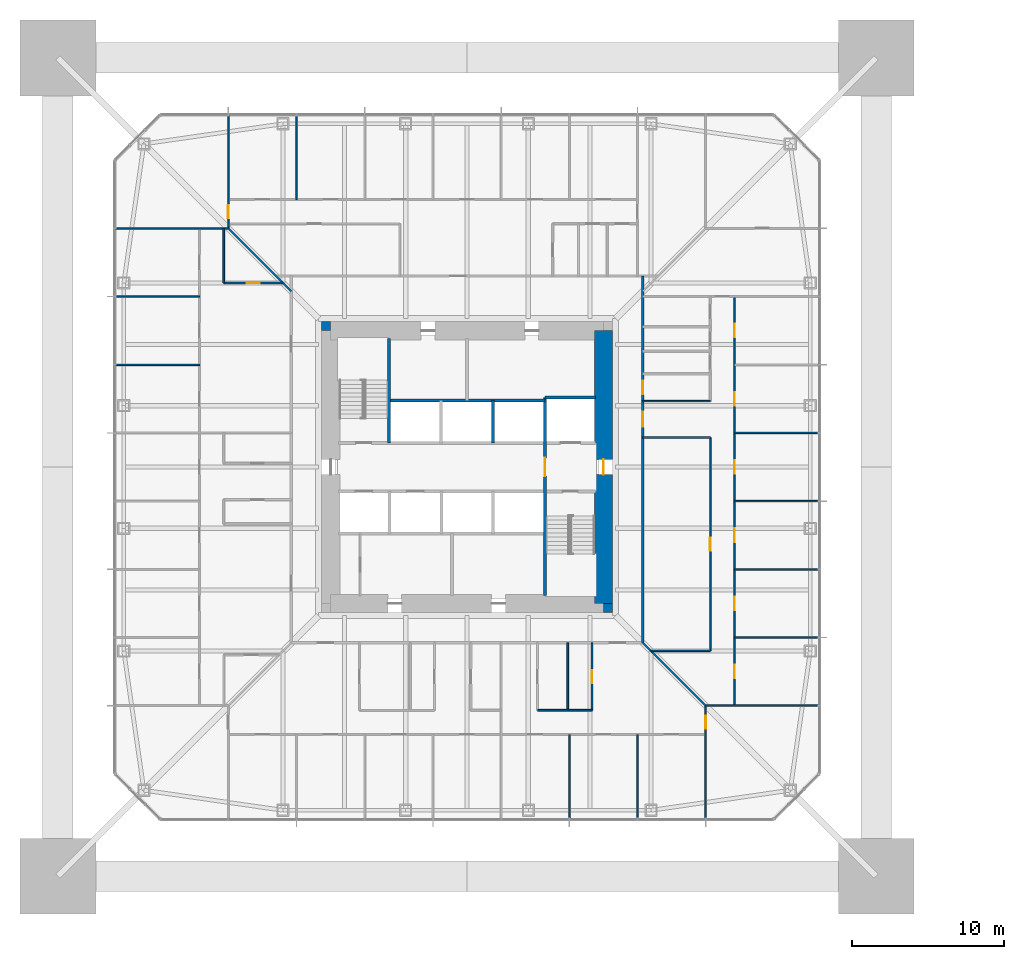
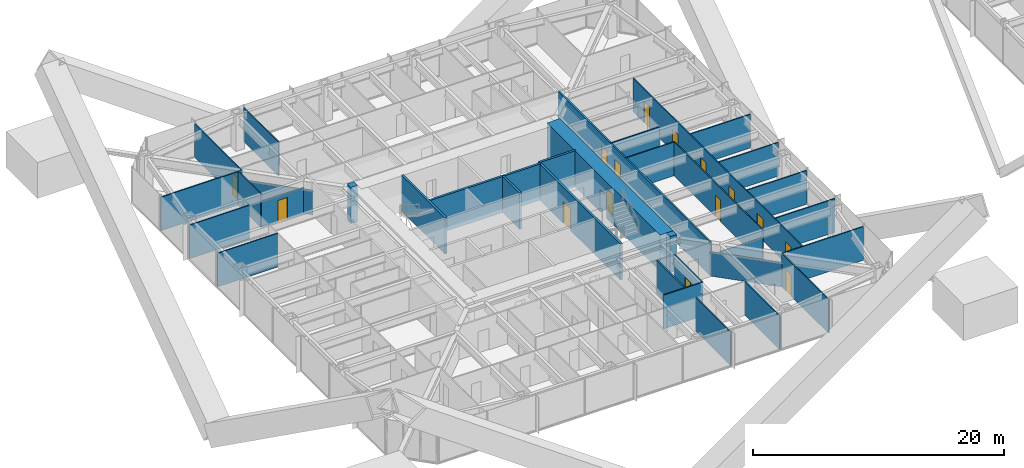
# One storey, part 18 of 28: 34 walls, 15 doors, 15 openings.
"""IFC4 building model written with IfcOpenShell, lengths in metres."""

from ifc_helpers import new_model, si_unit, direction, frame, frame_2d, origin, place, context, subcontext, project, spatial, rectangle, extrude, material, layer, layer_set, type_object, element, fill, save


model = new_model("IFC4")

# Units and contexts
model_context = context("Model", 3, precision=1e-05, world=origin(), true_north=direction((0.0, 1.0)))
body_context = subcontext(model_context, "Body", "Model", "MODEL_VIEW")
ifc_project = project(units=[si_unit("LENGTHUNIT", "METRE"), si_unit("AREAUNIT", "SQUARE_METRE"), si_unit("VOLUMEUNIT", "CUBIC_METRE"), si_unit("PLANEANGLEUNIT", "RADIAN"), si_unit("MASSUNIT", "GRAM", prefix="KILO")], contexts=[model_context])

# Site, building, storey
site_placement = place(None, origin())
site = spatial("IfcSite", under=ifc_project, at=site_placement, CompositionType="ELEMENT")
building_placement = place(site_placement, origin())
building = spatial("IfcBuilding", under=site, at=building_placement, Name="Iwan Alto Co-Living Towers", CompositionType="ELEMENT")
storey_placement = place(building_placement, frame((0.0, 0.0, 64.0)))
storey = spatial("IfcBuildingStorey", under=building, at=storey_placement, Name="L17", CompositionType="ELEMENT", Elevation=64.0)

# Wall, openings, doors
ifc_material_1 = material(Name="Gypsum board")
ifc_layer_1 = layer(ifc_material_1, 0.02490234375, Name="Board", Category="Finish")
ifc_material_2 = material(Name="Steel ASTM A1003 ST33H cold-formed studs", Category="steel")
ifc_layer_2 = layer(ifc_material_2, 0.10009765625, Name="Studs", Category="Framing")
ifc_layer_3 = layer(ifc_material_1, 0.02490234375, Name="Board", Category="Finish")
ifc_layer_set_1 = layer_set([ifc_layer_1, ifc_layer_2, ifc_layer_3], Name="CORRIDOR WALL 150")
wall_type_1 = type_object("IfcWallType", Name="CORRIDOR WALL 150", PredefinedType="PARTITIONING", material=ifc_layer_set_1)
wall_1_placement = place(storey_placement, frame((11.60009765625, -11.60009765625, 0.0), z_axis=(0.0, 0.0, 1.0), x_axis=(0.0, 1.0, 0.0)))
wall_1 = element("IfcWall", 1, at=wall_1_placement, inside=storey, type_object=wall_type_1, Name="Partition L17", PredefinedType="PARTITIONING", context=body_context, shape_type="SweptSolid", body=[
    extrude(rectangle(XDim=24.2001953125, YDim=0.14990234375, at=frame_2d((12.10009765625, 0.0))), origin(), (0.0, 0.0, 1.0), 3.27001953125),
])
opening_1_placement = place(wall_1_placement, frame((14.25, 0.0, 0.0)))
opening_1 = element("IfcOpeningElement", 2, at=opening_1_placement, cuts=wall_1, Name="Opening D3", PredefinedType="OPENING", context=body_context, shape_type="SweptSolid", body=[
    extrude(rectangle(XDim=1.0, YDim=2.10009765625, at=frame_2d((0.5, 1.050048828125))), frame((0.0, 0.0849609375, 0.0), z_axis=(0.0, -1.0, 0.0), x_axis=(1.0, 0.0, 0.0)), (0.0, 0.0, 1.0), 0.169921875),
])
opening_2_placement = place(wall_1_placement, frame((16.39990234375, 0.0, 0.0)))
opening_2 = element("IfcOpeningElement", 3, at=opening_2_placement, cuts=wall_1, Name="Opening D8", PredefinedType="OPENING", context=body_context, shape_type="SweptSolid", body=[
    extrude(rectangle(XDim=0.89990234375, YDim=2.10009765625, at=frame_2d((0.449951171875, 1.050048828125))), frame((0.0, 0.0849609375, 0.0), z_axis=(0.0, -1.0, 0.0), x_axis=(1.0, 0.0, 0.0)), (0.0, 0.0, 1.0), 0.169921875),
])
ifc_material_3 = material(Name="Steel frame with timber leaf", Category="steel")
door_type_1 = type_object("IfcDoorType", Name="FLAT ENTRANCE DOOR FD30S 1000X2100", OperationType="SINGLE_SWING_LEFT", PredefinedType="DOOR", material=ifc_material_3)
door_1_placement = place(opening_1_placement, frame((1.0, 0.0, 0.0), z_axis=(0.0, 0.0, 1.0), x_axis=(-1.0, 0.0, 0.0)))
door_1 = element("IfcDoor", 4, at=door_1_placement, inside=storey, type_object=door_type_1, Name="Cluster lounge door L17", OperationType="SINGLE_SWING_RIGHT", OverallHeight=2.10009765625, OverallWidth=1.0, PredefinedType="DOOR", context=body_context, shape_type="SweptSolid", body=[
    extrude(rectangle(XDim=1.0, YDim=2.10009765625, at=frame_2d((0.5, 1.050048828125))), frame((0.0, 0.02490234375, 0.0), z_axis=(0.0, -1.0, 0.0), x_axis=(1.0, 0.0, 0.0)), (0.0, 0.0, 1.0), 0.050048828125),
])
fill(opening_1, door_1)
ifc_material_4 = material(Name="Steel frame with timber leaf", Category="steel")
door_type_2 = type_object("IfcDoorType", Name="RISER DOOR FD120 900X2100", OperationType="SINGLE_SWING_LEFT", PredefinedType="DOOR", material=ifc_material_4)
door_2_placement = place(opening_2_placement, frame((0.89990234375, 0.0, 0.0), z_axis=(0.0, 0.0, 1.0), x_axis=(-1.0, 0.0, 0.0)))
door_2 = element("IfcDoor", 5, at=door_2_placement, inside=storey, type_object=door_type_2, Name="Comms room door L17", OperationType="SINGLE_SWING_RIGHT", OverallHeight=2.10009765625, OverallWidth=0.89990234375, PredefinedType="DOOR", context=body_context, shape_type="SweptSolid", body=[
    extrude(rectangle(XDim=0.89990234375, YDim=2.10009765625, at=frame_2d((0.449951171875, 1.050048828125))), frame((0.0, 0.02490234375, 0.0), z_axis=(0.0, -1.0, 0.0), x_axis=(1.0, 0.0, 0.0)), (0.0, 0.0, 1.0), 0.050048828125),
])
fill(opening_2, door_2)

# Walls
ifc_layer_4 = layer(ifc_material_1, 0.012451171875, Name="Board", Category="Finish")
ifc_layer_5 = layer(ifc_material_2, 0.074951171875, Name="Studs", Category="Framing")
ifc_layer_6 = layer(ifc_material_1, 0.012451171875, Name="Board", Category="Finish")
ifc_layer_set_2 = layer_set([ifc_layer_4, ifc_layer_5, ifc_layer_6], Name="PARTITION 100")
wall_type_2 = type_object("IfcWallType", Name="PARTITION 100", PredefinedType="PARTITIONING", material=ifc_layer_set_2)
wall_2_placement = place(storey_placement, frame((15.75, -15.75, 0.0), z_axis=(0.0, 0.0, 1.0), x_axis=(1.0, 0.0, 0.0)))
element("IfcWall", 6, at=wall_2_placement, inside=storey, type_object=wall_type_2, Name="Partition L17", PredefinedType="PARTITIONING", context=body_context, shape_type="SweptSolid", body=[
    extrude(rectangle(XDim=7.43994140625, YDim=0.10009765625, at=frame_2d((3.719970703125, 0.0))), origin(), (0.0, 0.0, 1.0), 3.27001953125),
])
wall_3_placement = place(storey_placement, frame((12.1298828125, -12.1298828125, 0.0), z_axis=(0.0, 0.0, 1.0), x_axis=(1.0, 0.0, 0.0)))
element("IfcWall", 7, at=wall_3_placement, inside=storey, type_object=wall_type_2, Name="Partition L17", PredefinedType="PARTITIONING", context=body_context, shape_type="SweptSolid", body=[
    extrude(rectangle(XDim=3.920166015625, YDim=0.10009765625, at=frame_2d((1.9599609375, 0.0))), origin(), (0.0, 0.0, 1.0), 2.508056640625),
])
for number, where, z_axis, x_axis, name in (
    (8, (17.64990234375, -11.25, 0.0), (0.0, 0.0, 1.0), (1.0, 0.0, 0.0), "Partition L17"),
    (9, (17.64990234375, -6.75, 0.0), (0.0, 0.0, 1.0), (1.0, 0.0, 0.0), "Partition L17"),
    (10, (17.64990234375, -2.25, 0.0), (0.0, 0.0, 1.0), (1.0, 0.0, 0.0), "Partition L17"),
):
    element("IfcWall", number, at=place(storey_placement, frame(where, z_axis=z_axis, x_axis=x_axis)), inside=storey, type_object=wall_type_2, Name=name, PredefinedType="PARTITIONING", context=body_context, shape_type="SweptSolid", body=[
        extrude(rectangle(XDim=5.5400390625, YDim=0.10009765625, at=frame_2d((2.77001953125, 0.0))), origin(), (0.0, 0.0, 1.0), 3.27001953125),
    ])
wall_4_placement = place(storey_placement, frame((11.60009765625, 1.949951171875, 0.0), z_axis=(0.0, 0.0, 1.0), x_axis=(1.0, 0.0, 0.0)))
element("IfcWall", 11, at=wall_4_placement, inside=storey, type_object=wall_type_2, Name="Partition L17", PredefinedType="PARTITIONING", context=body_context, shape_type="SweptSolid", body=[
    extrude(rectangle(XDim=4.449951171875, YDim=0.10009765625, at=frame_2d((2.22509765625, 0.0))), origin(), (0.0, 0.0, 1.0), 3.27001953125),
])
wall_5_placement = place(storey_placement, frame((17.64990234375, 2.25, 0.0), z_axis=(0.0, 0.0, 1.0), x_axis=(1.0, 0.0, 0.0)))
element("IfcWall", 12, at=wall_5_placement, inside=storey, type_object=wall_type_2, Name="Partition L17", PredefinedType="PARTITIONING", context=body_context, shape_type="SweptSolid", body=[
    extrude(rectangle(XDim=5.5400390625, YDim=0.10009765625, at=frame_2d((2.77001953125, 0.0))), origin(), (0.0, 0.0, 1.0), 3.27001953125),
])
wall_6_placement = place(storey_placement, frame((11.60009765625, 4.35009765625, 0.0), z_axis=(0.0, 0.0, 1.0), x_axis=(1.0, 0.0, 0.0)))
element("IfcWall", 13, at=wall_6_placement, inside=storey, type_object=wall_type_2, Name="Partition L17", PredefinedType="PARTITIONING", context=body_context, shape_type="SweptSolid", body=[
    extrude(rectangle(XDim=4.449951171875, YDim=0.10009765625, at=frame_2d((2.22509765625, 0.0))), origin(), (0.0, 0.0, 1.0), 3.27001953125),
])
for number, where, z_axis, x_axis, name in (
    (14, (-23.18994140625, 6.75, 0.0), (0.0, 0.0, 1.0), (1.0, 0.0, 0.0), "Partition L17"),
    (15, (-23.18994140625, 11.25, 0.0), (0.0, 0.0, 1.0), (1.0, 0.0, 0.0), "Partition L17"),
):
    element("IfcWall", number, at=place(storey_placement, frame(where, z_axis=z_axis, x_axis=x_axis)), inside=storey, type_object=wall_type_2, Name=name, PredefinedType="PARTITIONING", context=body_context, shape_type="SweptSolid", body=[
        extrude(rectangle(XDim=5.5400390625, YDim=0.10009765625, at=frame_2d((2.77001953125, 0.0))), origin(), (0.0, 0.0, 1.0), 3.27001953125),
    ])
wall_7_placement = place(storey_placement, frame((-23.18994140625, 15.75, 0.0), z_axis=(0.0, 0.0, 1.0), x_axis=(1.0, 0.0, 0.0)))
element("IfcWall", 16, at=wall_7_placement, inside=storey, type_object=wall_type_2, Name="Partition L17", PredefinedType="PARTITIONING", context=body_context, shape_type="SweptSolid", body=[
    extrude(rectangle(XDim=7.43994140625, YDim=0.10009765625, at=frame_2d((3.719970703125, 0.0))), origin(), (0.0, 0.0, 1.0), 3.27001953125),
])

# Wall, openings, doors
wall_8_placement = place(storey_placement, frame((17.64990234375, -15.75, 0.0), z_axis=(0.0, 0.0, 1.0), x_axis=(0.0, 1.0, 0.0)))
wall_8 = element("IfcWall", 17, at=wall_8_placement, inside=storey, type_object=wall_type_2, Name="Partition L17", PredefinedType="PARTITIONING", context=body_context, shape_type="SweptSolid", body=[
    extrude(rectangle(XDim=27.0, YDim=0.10009765625, at=frame_2d((13.5, 0.0))), origin(), (0.0, 0.0, 1.0), 3.27001953125),
])
opening_3_placement = place(wall_8_placement, frame((1.800048828125, 0.0, 0.0)))
opening_3 = element("IfcOpeningElement", 18, at=opening_3_placement, cuts=wall_8, Name="Opening D1", PredefinedType="OPENING", context=body_context, shape_type="SweptSolid", body=[
    extrude(rectangle(XDim=0.89990234375, YDim=2.10009765625, at=frame_2d((0.449951171875, 1.050048828125))), frame((0.0, 0.06005859375, 0.0), z_axis=(0.0, -1.0, 0.0), x_axis=(1.0, 0.0, 0.0)), (0.0, 0.0, 1.0), 0.1201171875),
])
opening_4_placement = place(wall_8_placement, frame((6.300048828125, 0.0, 0.0)))
opening_4 = element("IfcOpeningElement", 19, at=opening_4_placement, cuts=wall_8, Name="Opening D1", PredefinedType="OPENING", context=body_context, shape_type="SweptSolid", body=[
    extrude(rectangle(XDim=0.89990234375, YDim=2.10009765625, at=frame_2d((0.449951171875, 1.050048828125))), frame((0.0, 0.06005859375, 0.0), z_axis=(0.0, -1.0, 0.0), x_axis=(1.0, 0.0, 0.0)), (0.0, 0.0, 1.0), 0.1201171875),
])
opening_5_placement = place(wall_8_placement, frame((10.800048828125, 0.0, 0.0)))
opening_5 = element("IfcOpeningElement", 20, at=opening_5_placement, cuts=wall_8, Name="Opening D1", PredefinedType="OPENING", context=body_context, shape_type="SweptSolid", body=[
    extrude(rectangle(XDim=0.89990234375, YDim=2.10009765625, at=frame_2d((0.449951171875, 1.050048828125))), frame((0.0, 0.06005859375, 0.0), z_axis=(0.0, -1.0, 0.0), x_axis=(1.0, 0.0, 0.0)), (0.0, 0.0, 1.0), 0.1201171875),
])
opening_6_placement = place(wall_8_placement, frame((15.300048828125, 0.0, 0.0)))
opening_6 = element("IfcOpeningElement", 21, at=opening_6_placement, cuts=wall_8, Name="Opening D1", PredefinedType="OPENING", context=body_context, shape_type="SweptSolid", body=[
    extrude(rectangle(XDim=0.89990234375, YDim=2.10009765625, at=frame_2d((0.449951171875, 1.050048828125))), frame((0.0, 0.06005859375, 0.0), z_axis=(0.0, -1.0, 0.0), x_axis=(1.0, 0.0, 0.0)), (0.0, 0.0, 1.0), 0.1201171875),
])
opening_7_placement = place(wall_8_placement, frame((19.800048828125, 0.0, 0.0)))
opening_7 = element("IfcOpeningElement", 22, at=opening_7_placement, cuts=wall_8, Name="Opening D1", PredefinedType="OPENING", context=body_context, shape_type="SweptSolid", body=[
    extrude(rectangle(XDim=0.89990234375, YDim=2.10009765625, at=frame_2d((0.449951171875, 1.050048828125))), frame((0.0, 0.06005859375, 0.0), z_axis=(0.0, -1.0, 0.0), x_axis=(1.0, 0.0, 0.0)), (0.0, 0.0, 1.0), 0.1201171875),
])
opening_8_placement = place(wall_8_placement, frame((24.300048828125, 0.0, 0.0)))
opening_8 = element("IfcOpeningElement", 23, at=opening_8_placement, cuts=wall_8, Name="Opening D1", PredefinedType="OPENING", context=body_context, shape_type="SweptSolid", body=[
    extrude(rectangle(XDim=0.89990234375, YDim=2.10009765625, at=frame_2d((0.449951171875, 1.050048828125))), frame((0.0, 0.06005859375, 0.0), z_axis=(0.0, -1.0, 0.0), x_axis=(1.0, 0.0, 0.0)), (0.0, 0.0, 1.0), 0.1201171875),
])
ifc_material_5 = material(Name="Timber leaf in steel frame", Category="steel")
door_type_3 = type_object("IfcDoorType", Name="BEDROOM DOOR 900X2100", OperationType="SINGLE_SWING_LEFT", PredefinedType="DOOR", material=ifc_material_5)
door_3_placement = place(opening_3_placement, origin())
door_3 = element("IfcDoor", 24, at=door_3_placement, inside=storey, type_object=door_type_3, Name="Study bedroom door L17", OperationType="SINGLE_SWING_LEFT", OverallHeight=2.10009765625, OverallWidth=0.89990234375, PredefinedType="DOOR", context=body_context, shape_type="SweptSolid", body=[
    extrude(rectangle(XDim=0.89990234375, YDim=2.10009765625, at=frame_2d((0.449951171875, 1.050048828125))), frame((0.0, 0.02490234375, 0.0), z_axis=(0.0, -1.0, 0.0), x_axis=(1.0, 0.0, 0.0)), (0.0, 0.0, 1.0), 0.050048828125),
])
fill(opening_3, door_3)
door_4_placement = place(opening_4_placement, origin())
door_4 = element("IfcDoor", 25, at=door_4_placement, inside=storey, type_object=door_type_3, Name="Study bedroom door L17", OperationType="SINGLE_SWING_LEFT", OverallHeight=2.10009765625, OverallWidth=0.89990234375, PredefinedType="DOOR", context=body_context, shape_type="SweptSolid", body=[
    extrude(rectangle(XDim=0.89990234375, YDim=2.10009765625, at=frame_2d((0.449951171875, 1.050048828125))), frame((0.0, 0.02490234375, 0.0), z_axis=(0.0, -1.0, 0.0), x_axis=(1.0, 0.0, 0.0)), (0.0, 0.0, 1.0), 0.050048828125),
])
fill(opening_4, door_4)
door_5_placement = place(opening_5_placement, origin())
door_5 = element("IfcDoor", 26, at=door_5_placement, inside=storey, type_object=door_type_3, Name="Study bedroom door L17", OperationType="SINGLE_SWING_LEFT", OverallHeight=2.10009765625, OverallWidth=0.89990234375, PredefinedType="DOOR", context=body_context, shape_type="SweptSolid", body=[
    extrude(rectangle(XDim=0.89990234375, YDim=2.10009765625, at=frame_2d((0.449951171875, 1.050048828125))), frame((0.0, 0.02490234375, 0.0), z_axis=(0.0, -1.0, 0.0), x_axis=(1.0, 0.0, 0.0)), (0.0, 0.0, 1.0), 0.050048828125),
])
fill(opening_5, door_5)
door_6_placement = place(opening_6_placement, origin())
door_6 = element("IfcDoor", 27, at=door_6_placement, inside=storey, type_object=door_type_3, Name="Study bedroom door L17", OperationType="SINGLE_SWING_RIGHT", OverallHeight=2.10009765625, OverallWidth=0.89990234375, PredefinedType="DOOR", context=body_context, shape_type="SweptSolid", body=[
    extrude(rectangle(XDim=0.89990234375, YDim=2.10009765625, at=frame_2d((0.449951171875, 1.050048828125))), frame((0.0, 0.02490234375, 0.0), z_axis=(0.0, -1.0, 0.0), x_axis=(1.0, 0.0, 0.0)), (0.0, 0.0, 1.0), 0.050048828125),
])
fill(opening_6, door_6)
door_7_placement = place(opening_7_placement, origin())
door_7 = element("IfcDoor", 28, at=door_7_placement, inside=storey, type_object=door_type_3, Name="Study bedroom door L17", OperationType="SINGLE_SWING_RIGHT", OverallHeight=2.10009765625, OverallWidth=0.89990234375, PredefinedType="DOOR", context=body_context, shape_type="SweptSolid", body=[
    extrude(rectangle(XDim=0.89990234375, YDim=2.10009765625, at=frame_2d((0.449951171875, 1.050048828125))), frame((0.0, 0.02490234375, 0.0), z_axis=(0.0, -1.0, 0.0), x_axis=(1.0, 0.0, 0.0)), (0.0, 0.0, 1.0), 0.050048828125),
])
fill(opening_7, door_7)
door_8_placement = place(opening_8_placement, origin())
door_8 = element("IfcDoor", 29, at=door_8_placement, inside=storey, type_object=door_type_3, Name="Study bedroom door L17", OperationType="SINGLE_SWING_RIGHT", OverallHeight=2.10009765625, OverallWidth=0.89990234375, PredefinedType="DOOR", context=body_context, shape_type="SweptSolid", body=[
    extrude(rectangle(XDim=0.89990234375, YDim=2.10009765625, at=frame_2d((0.449951171875, 1.050048828125))), frame((0.0, 0.02490234375, 0.0), z_axis=(0.0, -1.0, 0.0), x_axis=(1.0, 0.0, 0.0)), (0.0, 0.0, 1.0), 0.050048828125),
])
fill(opening_8, door_8)

# Wall, opening, door
wall_9_placement = place(storey_placement, frame((16.050048828125, -12.1298828125, 0.0), z_axis=(0.0, 0.0, 1.0), x_axis=(0.0, 1.0, 0.0)))
wall_9 = element("IfcWall", 30, at=wall_9_placement, inside=storey, type_object=wall_type_2, Name="Partition L17", PredefinedType="PARTITIONING", context=body_context, shape_type="SweptSolid", body=[
    extrude(rectangle(XDim=14.079833984375, YDim=0.10009765625, at=frame_2d((7.0400390625, 0.0))), origin(), (0.0, 0.0, 1.0), 3.27001953125),
])
opening_9_placement = place(wall_9_placement, frame((6.614990234375, 0.0, 0.0)))
opening_9 = element("IfcOpeningElement", 31, at=opening_9_placement, cuts=wall_9, Name="Opening D2", PredefinedType="OPENING", context=body_context, shape_type="SweptSolid", body=[
    extrude(rectangle(XDim=0.85009765625, YDim=2.10009765625, at=frame_2d((0.425048828125, 1.050048828125))), frame((0.0, 0.06005859375, 0.0), z_axis=(0.0, -1.0, 0.0), x_axis=(1.0, 0.0, 0.0)), (0.0, 0.0, 1.0), 0.1201171875),
])
ifc_material_6 = material(Name="Timber leaf in steel frame", Category="steel")
door_type_4 = type_object("IfcDoorType", Name="ROOM DOOR 850X2100", OperationType="SINGLE_SWING_LEFT", PredefinedType="DOOR", material=ifc_material_6)
door_9_placement = place(opening_9_placement, origin())
door_9 = element("IfcDoor", 32, at=door_9_placement, inside=storey, type_object=door_type_4, Name="Study lounge door L17", OperationType="SINGLE_SWING_LEFT", OverallHeight=2.10009765625, OverallWidth=0.85009765625, PredefinedType="DOOR", context=body_context, shape_type="SweptSolid", body=[
    extrude(rectangle(XDim=0.85009765625, YDim=2.10009765625, at=frame_2d((0.425048828125, 1.050048828125))), frame((0.0, 0.02490234375, 0.0), z_axis=(0.0, -1.0, 0.0), x_axis=(1.0, 0.0, 0.0)), (0.0, 0.0, 1.0), 0.050048828125),
])
fill(opening_9, door_9)

wall_10_placement = place(storey_placement, frame((15.75, -23.18994140625, 0.0), z_axis=(0.0, 0.0, 1.0), x_axis=(0.0, 1.0, 0.0)))
wall_10 = element("IfcWall", 33, at=wall_10_placement, inside=storey, type_object=wall_type_2, Name="Partition L17", PredefinedType="PARTITIONING", context=body_context, shape_type="SweptSolid", body=[
    extrude(rectangle(XDim=7.43994140625, YDim=0.10009765625, at=frame_2d((3.719970703125, 0.0))), origin(), (0.0, 0.0, 1.0), 3.27001953125),
])
opening_10_placement = place(wall_10_placement, frame((5.9150390625, 0.0, 0.0)))
opening_10 = element("IfcOpeningElement", 34, at=opening_10_placement, cuts=wall_10, Name="Opening D2", PredefinedType="OPENING", context=body_context, shape_type="SweptSolid", body=[
    extrude(rectangle(XDim=0.85009765625, YDim=2.10009765625, at=frame_2d((0.425048828125, 1.050048828125))), frame((0.0, 0.06005859375, 0.0), z_axis=(0.0, -1.0, 0.0), x_axis=(1.0, 0.0, 0.0)), (0.0, 0.0, 1.0), 0.1201171875),
])
door_10_placement = place(opening_10_placement, origin())
door_10 = element("IfcDoor", 35, at=door_10_placement, inside=storey, type_object=door_type_4, Name="Shared kitchen and dining room door L17", OperationType="SINGLE_SWING_LEFT", OverallHeight=2.10009765625, OverallWidth=0.85009765625, PredefinedType="DOOR", context=body_context, shape_type="SweptSolid", body=[
    extrude(rectangle(XDim=0.85009765625, YDim=2.10009765625, at=frame_2d((0.425048828125, 1.050048828125))), frame((0.0, 0.02490234375, 0.0), z_axis=(0.0, -1.0, 0.0), x_axis=(1.0, 0.0, 0.0)), (0.0, 0.0, 1.0), 0.050048828125),
])
fill(opening_10, door_10)

# Walls
for number, where, z_axis, x_axis, name in (
    (36, (11.25, -23.18994140625, 0.0), (0.0, 0.0, 1.0), (0.0, 1.0, 0.0), "Partition L17"),
    (37, (6.75, -23.18994140625, 0.0), (0.0, 0.0, 1.0), (0.0, 1.0, 0.0), "Partition L17"),
    (38, (-11.25, 17.64990234375, 0.0), (0.0, 0.0, 1.0), (0.0, 1.0, 0.0), "Partition L17"),
):
    element("IfcWall", number, at=place(storey_placement, frame(where, z_axis=z_axis, x_axis=x_axis)), inside=storey, type_object=wall_type_2, Name=name, PredefinedType="PARTITIONING", context=body_context, shape_type="SweptSolid", body=[
        extrude(rectangle(XDim=5.5400390625, YDim=0.10009765625, at=frame_2d((2.77001953125, 0.0))), origin(), (0.0, 0.0, 1.0), 3.27001953125),
    ])

# Wall, opening, door
wall_11_placement = place(storey_placement, frame((-15.75, 15.75, 0.0), z_axis=(0.0, 0.0, 1.0), x_axis=(0.0, 1.0, 0.0)))
wall_11 = element("IfcWall", 39, at=wall_11_placement, inside=storey, type_object=wall_type_2, Name="Partition L17", PredefinedType="PARTITIONING", context=body_context, shape_type="SweptSolid", body=[
    extrude(rectangle(XDim=7.43994140625, YDim=0.10009765625, at=frame_2d((3.719970703125, 0.0))), origin(), (0.0, 0.0, 1.0), 3.27001953125),
])
opening_11_placement = place(wall_11_placement, frame((0.675048828125, 0.0, 0.0)))
opening_11 = element("IfcOpeningElement", 40, at=opening_11_placement, cuts=wall_11, Name="Opening D2", PredefinedType="OPENING", context=body_context, shape_type="SweptSolid", body=[
    extrude(rectangle(XDim=0.85009765625, YDim=2.10009765625, at=frame_2d((0.425048828125, 1.050048828125))), frame((0.0, 0.06005859375, 0.0), z_axis=(0.0, -1.0, 0.0), x_axis=(1.0, 0.0, 0.0)), (0.0, 0.0, 1.0), 0.1201171875),
])
door_11_placement = place(opening_11_placement, frame((0.85009765625, 0.0, 0.0), z_axis=(0.0, 0.0, 1.0), x_axis=(-1.0, 0.0, 0.0)))
door_11 = element("IfcDoor", 41, at=door_11_placement, inside=storey, type_object=door_type_4, Name="Shared kitchen and dining room door L17", OperationType="SINGLE_SWING_RIGHT", OverallHeight=2.10009765625, OverallWidth=0.85009765625, PredefinedType="DOOR", context=body_context, shape_type="SweptSolid", body=[
    extrude(rectangle(XDim=0.85009765625, YDim=2.10009765625, at=frame_2d((0.425048828125, 1.050048828125))), frame((0.0, 0.02490234375, 0.0), z_axis=(0.0, -1.0, 0.0), x_axis=(1.0, 0.0, 0.0)), (0.0, 0.0, 1.0), 0.050048828125),
])
fill(opening_11, door_11)

# Walls
wall_12_placement = place(storey_placement, frame((15.75, -15.75, 0.0), z_axis=(0.0, 0.0, 1.0), x_axis=(-0.707106781187, 0.707106781187, 0.0)))
element("IfcWall", 42, at=wall_12_placement, inside=storey, type_object=wall_type_2, Name="Partition L17", PredefinedType="PARTITIONING", context=body_context, shape_type="SweptSolid", body=[
    extrude(rectangle(XDim=5.868896484375, YDim=0.10009765625, at=frame_2d((2.9345703125, 0.0))), origin(), (0.0, 0.0, 1.0), 2.343017578125),
])
ifc_material_7 = material(Name="Concrete f'c 70 MPa", Category="concrete")
ifc_layer_7 = layer(ifc_material_7, 0.199951171875)
ifc_layer_set_3 = layer_set([ifc_layer_7], Name="SHAFT WALL 200")
wall_type_3 = type_object("IfcWallType", Name="SHAFT WALL 200", PredefinedType="SOLIDWALL", material=ifc_layer_set_3)
wall_13_placement = place(storey_placement, frame((-5.14990234375, 4.39990234375, 0.0), z_axis=(0.0, 0.0, 1.0), x_axis=(1.0, 0.0, 0.0)))
element("IfcWall", 43, at=wall_13_placement, inside=storey, type_object=wall_type_3, Name="Shaft wall L17", PredefinedType="SOLIDWALL", context=body_context, shape_type="SweptSolid", body=[
    extrude(rectangle(XDim=10.2998046875, YDim=0.199951171875, at=frame_2d((5.14990234375, 0.0))), origin(), (0.0, 0.0, 1.0), 3.5),
])
wall_14_placement = place(storey_placement, frame((5.14990234375, 4.60009765625, 0.0), z_axis=(0.0, 0.0, 1.0), x_axis=(1.0, 0.0, 0.0)))
element("IfcWall", 44, at=wall_14_placement, inside=storey, type_object=wall_type_3, Name="Shaft wall L17", PredefinedType="SOLIDWALL", context=body_context, shape_type="SweptSolid", body=[
    extrude(rectangle(XDim=3.340087890625, YDim=0.199951171875, at=frame_2d((1.669921875, 0.0))), origin(), (0.0, 0.0, 1.0), 3.5),
])

# Wall, opening, door
wall_15_placement = place(storey_placement, frame((5.14990234375, -8.489990234375, 0.0), z_axis=(0.0, 0.0, 1.0), x_axis=(0.0, 1.0, 0.0)))
wall_15 = element("IfcWall", 45, at=wall_15_placement, inside=storey, type_object=wall_type_3, Name="Shaft wall L17", PredefinedType="SOLIDWALL", context=body_context, shape_type="SweptSolid", body=[
    extrude(rectangle(XDim=13.090087890625, YDim=0.199951171875, at=frame_2d((6.544921875, 0.0))), origin(), (0.0, 0.0, 1.0), 3.5),
])
opening_12_placement = place(wall_15_placement, frame((7.889892578125, 0.0, 0.0)))
opening_12 = element("IfcOpeningElement", 46, at=opening_12_placement, cuts=wall_15, Name="Opening D6", PredefinedType="OPENING", context=body_context, shape_type="SweptSolid", body=[
    extrude(rectangle(XDim=1.199951171875, YDim=2.10009765625, at=frame_2d((0.60009765625, 1.050048828125))), frame((0.0, 0.10986328125, 0.0), z_axis=(0.0, -1.0, 0.0), x_axis=(1.0, 0.0, 0.0)), (0.0, 0.0, 1.0), 0.219970703125),
])
ifc_material_8 = material(Name="Steel frame with timber leaf", Category="steel")
door_type_5 = type_object("IfcDoorType", Name="LOBBY DOOR FD120S 1200X2100", OperationType="SINGLE_SWING_LEFT", PredefinedType="DOOR", material=ifc_material_8)
door_12_placement = place(opening_12_placement, frame((1.199951171875, 0.0, 0.0), z_axis=(0.0, 0.0, 1.0), x_axis=(-1.0, 0.0, 0.0)))
door_12 = element("IfcDoor", 47, at=door_12_placement, inside=storey, type_object=door_type_5, Name="Firefighting lobby door L17", OperationType="SINGLE_SWING_RIGHT", OverallHeight=2.10009765625, OverallWidth=1.199951171875, PredefinedType="DOOR", context=body_context, shape_type="SweptSolid", body=[
    extrude(rectangle(XDim=1.199951171875, YDim=2.10009765625, at=frame_2d((0.60009765625, 1.050048828125))), frame((0.0, 0.02490234375, 0.0), z_axis=(0.0, -1.0, 0.0), x_axis=(1.0, 0.0, 0.0)), (0.0, 0.0, 1.0), 0.050048828125),
])
fill(opening_12, door_12)

# Walls
wall_16_placement = place(storey_placement, frame((1.717041015625, 1.60009765625, 0.0), z_axis=(0.0, 0.0, 1.0), x_axis=(0.0, 1.0, 0.0)))
element("IfcWall", 48, at=wall_16_placement, inside=storey, type_object=wall_type_3, Name="Shaft wall L17", PredefinedType="SOLIDWALL", context=body_context, shape_type="SweptSolid", body=[
    extrude(rectangle(XDim=2.7998046875, YDim=0.199951171875, at=frame_2d((1.39990234375, 0.0))), origin(), (0.0, 0.0, 1.0), 3.5),
])
wall_17_placement = place(storey_placement, frame((-5.14990234375, 1.60009765625, 0.0), z_axis=(0.0, 0.0, 1.0), x_axis=(0.0, 1.0, 0.0)))
element("IfcWall", 49, at=wall_17_placement, inside=storey, type_object=wall_type_3, Name="Shaft wall L17", PredefinedType="SOLIDWALL", context=body_context, shape_type="SweptSolid", body=[
    extrude(rectangle(XDim=6.889892578125, YDim=0.199951171875, at=frame_2d((3.44482421875, 0.0))), origin(), (0.0, 0.0, 1.0), 3.5),
])
ifc_material_9 = material(Name="Concrete f'c 70 MPa", Category="concrete")
ifc_layer_8 = layer(ifc_material_9, 0.60009765625)
ifc_layer_set_4 = layer_set([ifc_layer_8], Name="T1 CORE CORNER FILL 600")
wall_type_4 = type_object("IfcWallType", Name="T1 CORE CORNER FILL 600", PredefinedType="SOLIDWALL", material=ifc_layer_set_4)
for number, where, z_axis, x_axis, name in (
    (50, (9.0, -9.300048828125, 0.0), (0.0, 0.0, 1.0), (1.0, 0.0, 0.0), "T1 core corner SE L17"),
    (51, (-9.60009765625, 9.300048828125, 0.0), (0.0, 0.0, 1.0), (1.0, 0.0, 0.0), "T1 core corner NW L17"),
):
    element("IfcWall", number, at=place(storey_placement, frame(where, z_axis=z_axis, x_axis=x_axis)), inside=storey, type_object=wall_type_4, Name=name, PredefinedType="SOLIDWALL", context=body_context, shape_type="SweptSolid", body=[
        extrude(rectangle(XDim=0.60009765625, YDim=0.60009765625, at=frame_2d((0.300048828125, 0.0))), origin(), (0.0, 0.0, 1.0), 3.5),
    ])

# Wall, opening, door
ifc_material_10 = material(Name="Concrete f'c 70 MPa", Category="concrete")
ifc_layer_9 = layer(ifc_material_10, 1.199951171875)
ifc_layer_set_5 = layer_set([ifc_layer_9], Name="T1 CORE WALL 1200")
wall_type_5 = type_object("IfcWallType", Name="T1 CORE WALL 1200", PredefinedType="SHEAR", material=ifc_layer_set_5)
wall_18_placement = place(storey_placement, frame((9.0, -9.0, 0.0), z_axis=(0.0, 0.0, 1.0), x_axis=(0.0, 1.0, 0.0)))
wall_18 = element("IfcWall", 52, at=wall_18_placement, inside=storey, type_object=wall_type_5, Name="T1 core wall E L17", PredefinedType="SHEAR", context=body_context, shape_type="SweptSolid", body=[
    extrude(rectangle(XDim=18.0, YDim=1.199951171875, at=frame_2d((9.0, 0.0))), origin(), (0.0, 0.0, 1.0), 3.5),
])
opening_13_placement = place(wall_18_placement, frame((8.5, 0.0, 0.0)))
opening_13 = element("IfcOpeningElement", 53, at=opening_13_placement, cuts=wall_18, Name="Opening D7", PredefinedType="OPENING", context=body_context, shape_type="SweptSolid", body=[
    extrude(rectangle(XDim=1.0, YDim=2.10009765625, at=frame_2d((0.5, 1.050048828125))), frame((0.0, 0.60986328125, 0.0), z_axis=(0.0, -1.0, 0.0), x_axis=(1.0, 0.0, 0.0)), (0.0, 0.0, 1.0), 1.219970703125),
])
ifc_material_11 = material(Name="Steel frame with timber leaf", Category="steel")
door_type_6 = type_object("IfcDoorType", Name="CORE DOOR FD120S 1000X2100", OperationType="SINGLE_SWING_LEFT", PredefinedType="DOOR", material=ifc_material_11)
door_13_placement = place(opening_13_placement, origin())
door_13 = element("IfcDoor", 54, at=door_13_placement, inside=storey, type_object=door_type_6, Name="Firefighting lobby core door L17", OperationType="SINGLE_SWING_LEFT", OverallHeight=2.10009765625, OverallWidth=1.0, PredefinedType="DOOR", context=body_context, shape_type="SweptSolid", body=[
    extrude(rectangle(XDim=1.0, YDim=2.10009765625, at=frame_2d((0.5, 1.050048828125))), frame((0.0, 0.02490234375, 0.0), z_axis=(0.0, -1.0, 0.0), x_axis=(1.0, 0.0, 0.0)), (0.0, 0.0, 1.0), 0.050048828125),
])
fill(opening_13, door_13)

# Wall
ifc_material_12 = material(Name="Cement board")
ifc_layer_10 = layer(ifc_material_12, 0.012451171875, Name="Board", Category="Finish")
ifc_layer_11 = layer(ifc_material_2, 0.094970703125, Name="Studs", Category="Framing")
ifc_layer_12 = layer(ifc_material_12, 0.012451171875, Name="Board", Category="Finish")
ifc_layer_set_6 = layer_set([ifc_layer_10, ifc_layer_11, ifc_layer_12], Name="WET AREA PARTITION 120")
wall_type_6 = type_object("IfcWallType", Name="WET AREA PARTITION 120", PredefinedType="PARTITIONING", material=ifc_layer_set_6)
wall_19_placement = place(storey_placement, frame((4.64990234375, -16.050048828125, 0.0), z_axis=(0.0, 0.0, 1.0), x_axis=(1.0, 0.0, 0.0)))
element("IfcWall", 55, at=wall_19_placement, inside=storey, type_object=wall_type_6, Name="Partition L17", PredefinedType="PARTITIONING", context=body_context, shape_type="SweptSolid", body=[
    extrude(rectangle(XDim=3.60009765625, YDim=0.1201171875, at=frame_2d((1.800048828125, 0.0))), origin(), (0.0, 0.0, 1.0), 3.27001953125),
])

# Wall, opening, door
wall_20_placement = place(storey_placement, frame((-16.050048828125, 12.14990234375, 0.0), z_axis=(0.0, 0.0, 1.0), x_axis=(1.0, 0.0, 0.0)))
wall_20 = element("IfcWall", 56, at=wall_20_placement, inside=storey, type_object=wall_type_6, Name="Partition L17", PredefinedType="PARTITIONING", context=body_context, shape_type="SweptSolid", body=[
    extrude(rectangle(XDim=3.900146484375, YDim=0.1201171875, at=frame_2d((1.9501953125, 0.0))), origin(), (0.0, 0.0, 1.0), 2.508056640625),
])
opening_14_placement = place(wall_20_placement, frame((1.52490234375, 0.0, 0.0)))
opening_14 = element("IfcOpeningElement", 57, at=opening_14_placement, cuts=wall_20, Name="Opening D2", PredefinedType="OPENING", context=body_context, shape_type="SweptSolid", body=[
    extrude(rectangle(XDim=0.85009765625, YDim=2.10009765625, at=frame_2d((0.425048828125, 1.050048828125))), frame((0.0, 0.070068359375, 0.0), z_axis=(0.0, -1.0, 0.0), x_axis=(1.0, 0.0, 0.0)), (0.0, 0.0, 1.0), 0.14013671875),
])
door_14_placement = place(opening_14_placement, frame((0.85009765625, 0.0, 0.0), z_axis=(0.0, 0.0, 1.0), x_axis=(-1.0, 0.0, 0.0)))
door_14 = element("IfcDoor", 58, at=door_14_placement, inside=storey, type_object=door_type_4, Name="Accessible bathroom door L17", OperationType="SINGLE_SWING_LEFT", OverallHeight=2.10009765625, OverallWidth=0.85009765625, PredefinedType="DOOR", context=body_context, shape_type="SweptSolid", body=[
    extrude(rectangle(XDim=0.85009765625, YDim=2.10009765625, at=frame_2d((0.425048828125, 1.050048828125))), frame((0.0, 0.02490234375, 0.0), z_axis=(0.0, -1.0, 0.0), x_axis=(1.0, 0.0, 0.0)), (0.0, 0.0, 1.0), 0.050048828125),
])
fill(opening_14, door_14)

wall_21_placement = place(storey_placement, frame((8.25, -16.050048828125, 0.0), z_axis=(0.0, 0.0, 1.0), x_axis=(0.0, 1.0, 0.0)))
wall_21 = element("IfcWall", 59, at=wall_21_placement, inside=storey, type_object=wall_type_6, Name="Partition L17", PredefinedType="PARTITIONING", context=body_context, shape_type="SweptSolid", body=[
    extrude(rectangle(XDim=4.449951171875, YDim=0.1201171875, at=frame_2d((2.22509765625, 0.0))), origin(), (0.0, 0.0, 1.0), 3.27001953125),
])
opening_15_placement = place(wall_21_placement, frame((1.800048828125, 0.0, 0.0)))
opening_15 = element("IfcOpeningElement", 60, at=opening_15_placement, cuts=wall_21, Name="Opening D2", PredefinedType="OPENING", context=body_context, shape_type="SweptSolid", body=[
    extrude(rectangle(XDim=0.85009765625, YDim=2.10009765625, at=frame_2d((0.425048828125, 1.050048828125))), frame((0.0, 0.070068359375, 0.0), z_axis=(0.0, -1.0, 0.0), x_axis=(1.0, 0.0, 0.0)), (0.0, 0.0, 1.0), 0.14013671875),
])
door_15_placement = place(opening_15_placement, frame((0.85009765625, 0.0, 0.0), z_axis=(0.0, 0.0, 1.0), x_axis=(-1.0, 0.0, 0.0)))
door_15 = element("IfcDoor", 61, at=door_15_placement, inside=storey, type_object=door_type_4, Name="Accessible bathroom door L17", OperationType="SINGLE_SWING_LEFT", OverallHeight=2.10009765625, OverallWidth=0.85009765625, PredefinedType="DOOR", context=body_context, shape_type="SweptSolid", body=[
    extrude(rectangle(XDim=0.85009765625, YDim=2.10009765625, at=frame_2d((0.425048828125, 1.050048828125))), frame((0.0, 0.02490234375, 0.0), z_axis=(0.0, -1.0, 0.0), x_axis=(1.0, 0.0, 0.0)), (0.0, 0.0, 1.0), 0.050048828125),
])
fill(opening_15, door_15)

# Walls
wall_22_placement = place(storey_placement, frame((6.64990234375, -16.050048828125, 0.0), z_axis=(0.0, 0.0, 1.0), x_axis=(0.0, 1.0, 0.0)))
element("IfcWall", 62, at=wall_22_placement, inside=storey, type_object=wall_type_6, Name="Partition L17", PredefinedType="PARTITIONING", context=body_context, shape_type="SweptSolid", body=[
    extrude(rectangle(XDim=4.449951171875, YDim=0.1201171875, at=frame_2d((2.22509765625, 0.0))), origin(), (0.0, 0.0, 1.0), 3.27001953125),
])
wall_23_placement = place(storey_placement, frame((-16.050048828125, 12.14990234375, 0.0), z_axis=(0.0, 0.0, 1.0), x_axis=(0.0, 1.0, 0.0)))
element("IfcWall", 63, at=wall_23_placement, inside=storey, type_object=wall_type_6, Name="Partition L17", PredefinedType="PARTITIONING", context=body_context, shape_type="SweptSolid", body=[
    extrude(rectangle(XDim=3.60009765625, YDim=0.1201171875, at=frame_2d((1.800048828125, 0.0))), origin(), (0.0, 0.0, 1.0), 3.27001953125),
])
wall_24_placement = place(storey_placement, frame((-11.60009765625, 11.60009765625, 0.0), z_axis=(0.0, 0.0, 1.0), x_axis=(-0.707106781187, 0.707106781187, 0.0)))
element("IfcWall", 64, at=wall_24_placement, inside=storey, type_object=wall_type_6, Name="Partition L17", PredefinedType="PARTITIONING", context=body_context, shape_type="SweptSolid", body=[
    extrude(rectangle(XDim=5.868896484375, YDim=0.1201171875, at=frame_2d((2.9345703125, 0.0))), origin(), (0.0, 0.0, 1.0), 2.343017578125),
])

save(model, "model.ifc")
